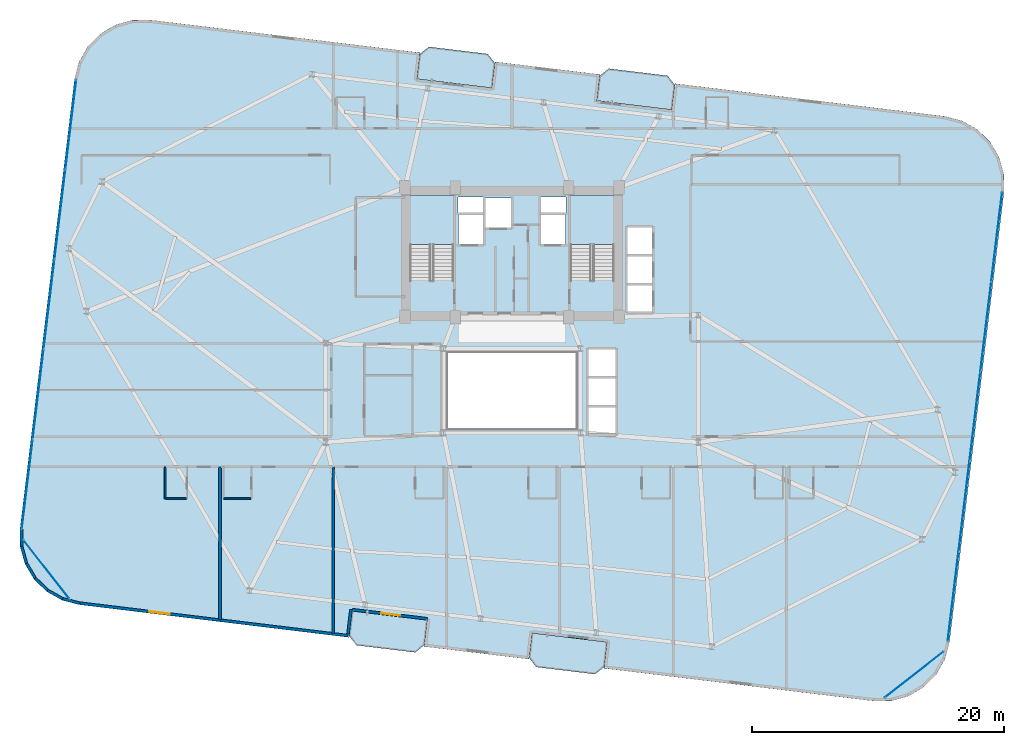
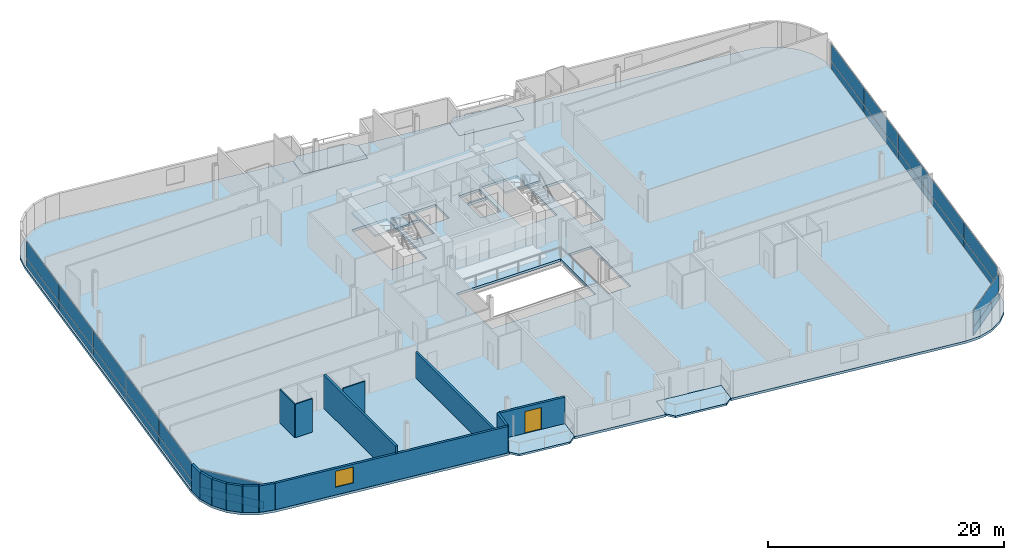
# One storey, part 19 of 26: 24 plates, 14 walls, 7 slabs, 1 door, 1 window, 2 openings, 6 elements without a shape of their own.
"""IFC4 building model written with IfcOpenShell, lengths in metres."""

from ifc_helpers import new_model, si_unit, direction, frame, frame_2d, origin, origin_2d, place, context, subcontext, project, spatial, polyline, rectangle, outline, extrude, source, transform, mapped, material, layer, layer_set, type_object, element, fill, aggregate, save


model = new_model("IFC4")

# Units and contexts
model_context = context("Model", 3, precision=1e-05, world=origin(), true_north=direction((0.0, 1.0)))
body_context = subcontext(model_context, "Body", "Model", "MODEL_VIEW")
ifc_project = project(units=[si_unit("LENGTHUNIT", "METRE"), si_unit("AREAUNIT", "SQUARE_METRE"), si_unit("VOLUMEUNIT", "CUBIC_METRE"), si_unit("PLANEANGLEUNIT", "RADIAN"), si_unit("MASSUNIT", "GRAM", prefix="KILO")], contexts=[model_context])

# Site, building, storey
site_placement = place(None, origin())
site = spatial("IfcSite", under=ifc_project, at=site_placement, CompositionType="ELEMENT")
building_placement = place(site_placement, origin())
building = spatial("IfcBuilding", under=site, at=building_placement, Name="Varnelok Gate Tower", CompositionType="ELEMENT")
storey_placement = place(building_placement, frame((0.0, 0.0, 151.300048828125)))
storey = spatial("IfcBuildingStorey", under=building, at=storey_placement, Name="L38", CompositionType="ELEMENT", Elevation=151.300048828125)

# Slabs
ifc_material_1 = material(Name="Concrete C45/55", Category="concrete")
ifc_layer_1 = layer(ifc_material_1, 0.199951171875)
ifc_layer_set_1 = layer_set([ifc_layer_1], Name="Concrete C45/55")
slab_type_1 = type_object("IfcSlabType", Name="SLB-BALC-200", PredefinedType="FLOOR", material=ifc_layer_set_1)
slab_1_placement = place(storey_placement, frame((0.0, 0.0, -0.199951171875)))
element("IfcSlab", 1, at=slab_1_placement, inside=storey, type_object=slab_type_1, Name="L38 South Hollow Balcony 1", PredefinedType="FLOOR", context=body_context, shape_type="SweptSolid", body=[
    extrude(outline(polyline([(26.27001953125, 3.39697265625), (26.837158203125, 2.67333984375), (31.5029296875, 2.107666015625), (32.2265625, 2.6748046875), (32.46728515625, 4.660400390625), (26.5107421875, 5.38232421875), (26.27001953125, 3.39697265625)])), origin(), (0.0, 0.0, 1.0), 0.199951171875),
])
slab_2_placement = place(storey_placement, frame((0.0, 0.0, -0.199951171875)))
element("IfcSlab", 2, at=slab_2_placement, inside=storey, type_object=slab_type_1, Name="L38 South Hollow Balcony 2", PredefinedType="FLOOR", context=body_context, shape_type="SweptSolid", body=[
    extrude(outline(polyline([(40.5654296875, 1.663818359375), (41.132568359375, 0.9404296875), (45.79833984375, 0.374755859375), (46.521728515625, 0.94189453125), (46.762451171875, 2.92724609375), (40.80615234375, 3.6494140625), (40.5654296875, 1.663818359375)])), origin(), (0.0, 0.0, 1.0), 0.199951171875),
])
slab_3_placement = place(storey_placement, frame((0.0, 0.0, -0.199951171875)))
element("IfcSlab", 3, at=slab_3_placement, inside=storey, type_object=slab_type_1, Name="L38 North Hollow Balcony 1", PredefinedType="FLOOR", context=body_context, shape_type="SweptSolid", body=[
    extrude(outline(polyline([(31.637451171875, 47.672607421875), (37.593994140625, 46.95068359375), (37.834716796875, 48.93603515625), (37.267578125, 49.65966796875), (32.601806640625, 50.22509765625), (31.878173828125, 49.658203125), (31.637451171875, 47.672607421875)])), origin(), (0.0, 0.0, 1.0), 0.199951171875),
])
slab_4_placement = place(storey_placement, frame((0.0, 0.0, -0.199951171875)))
element("IfcSlab", 4, at=slab_4_placement, inside=storey, type_object=slab_type_1, Name="L38 North Hollow Balcony 2", PredefinedType="FLOOR", context=body_context, shape_type="SweptSolid", body=[
    extrude(outline(polyline([(45.932861328125, 45.939697265625), (51.88916015625, 45.2177734375), (52.1298828125, 47.203125), (51.562744140625, 47.926513671875), (46.89697265625, 48.4921875), (46.173583984375, 47.92529296875), (45.932861328125, 45.939697265625)])), origin(), (0.0, 0.0, 1.0), 0.199951171875),
])

# Stair, slab
ifc_material_2 = material(Name="Concrete C50/60", Category="concrete")
stair_type = type_object("IfcStairType", Name="STR-CORE-1650", PredefinedType="HALF_TURN_STAIR", material=ifc_material_2)
stair_1_placement = place(storey_placement, origin())
stair_1 = element("IfcStair", 5, at=stair_1_placement, inside=storey, type_object=stair_type, Name="L38 Exit Stair ST-1", PredefinedType="HALF_TURN_STAIR")
ifc_layer_2 = layer(ifc_material_1, 0.199951171875)
ifc_layer_set_2 = layer_set([ifc_layer_2], Name="Concrete C45/55")
slab_type_2 = type_object("IfcSlabType", Name="SLB-LAND-200", PredefinedType="LANDING", material=ifc_layer_set_2)
slab_5_placement = place(storey_placement, frame((0.0, 0.0, 1.64990234375)))
slab_5 = element("IfcSlab", 6, at=slab_5_placement, type_object=slab_type_2, Name="ST-1 landing 1", PredefinedType="LANDING", context=body_context, shape_type="SweptSolid", body=[
    extrude(outline(polyline([(34.550048828125, 34.5), (34.550048828125, 38.449951171875), (31.10009765625, 38.449951171875), (31.10009765625, 34.5), (34.550048828125, 34.5)])), origin(), (0.0, 0.0, 1.0), 0.199951171875),
])
aggregate(stair_1, [slab_5])

stair_2_placement = place(storey_placement, origin())
stair_2 = element("IfcStair", 7, at=stair_2_placement, inside=storey, type_object=stair_type, Name="L38 Exit Stair ST-2", PredefinedType="HALF_TURN_STAIR")
slab_6_placement = place(storey_placement, frame((0.0, 0.0, 1.64990234375)))
slab_6 = element("IfcSlab", 8, at=slab_6_placement, type_object=slab_type_2, Name="ST-2 landing 1", PredefinedType="LANDING", context=body_context, shape_type="SweptSolid", body=[
    extrude(outline(polyline([(47.300048828125, 34.5), (47.300048828125, 38.449951171875), (43.85009765625, 38.449951171875), (43.85009765625, 34.5), (47.300048828125, 34.5)])), origin(), (0.0, 0.0, 1.0), 0.199951171875),
])
aggregate(stair_2, [slab_6])

# Slab
ifc_layer_3 = layer(ifc_material_2, 0.25)
ifc_layer_set_3 = layer_set([ifc_layer_3], Name="Concrete C50/60")
slab_type_3 = type_object("IfcSlabType", Name="SLB-TYP-250", PredefinedType="FLOOR", material=ifc_layer_set_3)
slab_7_placement = place(storey_placement, frame((0.0, 0.0, -0.25)))
element("IfcSlab", 9, at=slab_7_placement, inside=storey, type_object=slab_type_3, Name="L38 Structural Floor Slab", PredefinedType="FLOOR", context=body_context, shape_type="SweptSolid", body=[
    extrude(outline(polyline([(0.104248046875, 11.90771484375), (0.11865234375, 10.498046875), (0.49755859375, 9.14013671875), (1.214599609375, 7.9267578125), (2.2216796875, 6.940185546875), (3.44970703125, 6.247802734375), (4.81494140625, 5.89697265625), (16.529296875, 4.47705078125), (26.258056640625, 3.297607421875), (26.5107421875, 5.38232421875), (32.46728515625, 4.660400390625), (32.214599609375, 2.575439453125), (40.553466796875, 1.564697265625), (40.80615234375, 3.6494140625), (46.762451171875, 2.92724609375), (46.509765625, 0.842529296875), (56.238525390625, -0.3369140625), (67.952880859375, -1.7568359375), (69.3623046875, -1.742431640625), (70.72021484375, -1.363525390625), (71.933837890625, -0.646240234375), (72.92041015625, 0.360595703125), (73.612548828125, 1.588623046875), (73.96337890625, 2.9541015625), (78.2958984375, 38.6923828125), (78.281494140625, 40.101806640625), (77.902587890625, 41.459716796875), (77.185302734375, 42.67333984375), (76.17822265625, 43.659912109375), (74.9501953125, 44.35205078125), (73.5849609375, 44.702880859375), (61.87060546875, 46.123046875), (52.141845703125, 47.302490234375), (51.88916015625, 45.2177734375), (45.932861328125, 45.939697265625), (46.185546875, 48.0244140625), (37.8466796875, 49.035400390625), (37.593994140625, 46.95068359375), (31.637451171875, 47.672607421875), (31.89013671875, 49.75732421875), (22.161376953125, 50.936767578125), (10.447265625, 52.35693359375), (9.03759765625, 52.34228515625), (7.6796875, 51.963623046875), (6.46630859375, 51.246337890625), (5.479736328125, 50.2392578125), (4.787353515625, 49.01123046875), (4.4365234375, 47.64599609375), (0.104248046875, 11.90771484375)]), holes=[polyline([(34.550048828125, 31.679931640625), (34.550048828125, 38.449951171875), (31.10009765625, 38.449951171875), (31.10009765625, 31.679931640625), (34.550048828125, 31.679931640625)]), polyline([(47.300048828125, 31.679931640625), (47.300048828125, 38.449951171875), (43.85009765625, 38.449951171875), (43.85009765625, 31.679931640625), (47.300048828125, 31.679931640625)]), polyline([(34.949951171875, 34.550048828125), (36.89990234375, 34.550048828125), (36.89990234375, 36.89990234375), (34.949951171875, 36.89990234375), (34.949951171875, 34.550048828125)]), polyline([(41.5, 34.550048828125), (43.449951171875, 34.550048828125), (43.449951171875, 36.89990234375), (41.5, 36.89990234375), (41.5, 34.550048828125)]), polyline([(37.050048828125, 35.85009765625), (39.14990234375, 35.85009765625), (39.14990234375, 38.199951171875), (37.050048828125, 38.199951171875), (37.050048828125, 35.85009765625)]), polyline([(48.35009765625, 29.14990234375), (50.35009765625, 29.14990234375), (50.35009765625, 35.89990234375), (48.35009765625, 35.89990234375), (48.35009765625, 29.14990234375)]), polyline([(45.25, 19.449951171875), (47.449951171875, 19.449951171875), (47.449951171875, 26.199951171875), (45.25, 26.199951171875), (45.25, 19.449951171875)]), polyline([(34.919921875, 37.080078125), (36.89990234375, 37.080078125), (36.89990234375, 38.280029296875), (34.919921875, 38.280029296875), (34.919921875, 37.080078125)]), polyline([(41.5, 37.080078125), (43.47998046875, 37.080078125), (43.47998046875, 38.280029296875), (41.5, 38.280029296875), (41.5, 37.080078125)]), polyline([(34.10009765625, 19.89990234375), (44.300048828125, 19.89990234375), (44.300048828125, 25.89990234375), (34.10009765625, 25.89990234375), (34.10009765625, 19.89990234375)])]), origin(), (0.0, 0.0, 1.0), 0.25),
])

# Curtain wall, plate
ifc_material_3 = material(Name="Anodized Aluminum Alloy 6063-T6", Category="aluminium")
ifc_layer_4 = layer(ifc_material_3, 0.179931640625)
ifc_layer_set_4 = layer_set([ifc_layer_4], Name="Anodized Aluminum Alloy 6063-T6")
curtain_wall_type_1 = type_object("IfcCurtainWallType", Name="CW5-WINDCORNER-GLAZ", PredefinedType="USERDEFINED", material=ifc_layer_set_4)
curtain_wall_1_placement = place(storey_placement, origin())
curtain_wall_1 = element("IfcCurtainWall", 10, at=curtain_wall_1_placement, inside=storey, type_object=curtain_wall_type_1, Name="L38 Wind-Shaped Corner Curtain Wall SW", ObjectType="STRUCTURAL GLAZING", PredefinedType="USERDEFINED")
ifc_material_4 = material(Name="Low-E Laminated Double Glazing IGU", Category="glass")
ifc_layer_5 = layer(ifc_material_4, 0.0419921875)
ifc_layer_set_5 = layer_set([ifc_layer_5], Name="Low-E Laminated Double Glazing IGU")
plate_type_1 = type_object("IfcPlateType", Name="CW-PNL-SPN42", PredefinedType="CURTAIN_PANEL", material=ifc_layer_set_5)
shared_shape_1 = source(origin(), body_context, "Body", "SweptSolid", [
    extrude(rectangle(XDim=5.8662109375, YDim=0.0419921875, at=origin_2d()), origin(), (0.0, 0.0, 1.0), 0.802490234375),
])
plate_1_placement = place(storey_placement, frame((2.20361328125, 8.70166015625, 0.06494140625), z_axis=(0.0, 0.0, 1.0), x_axis=(0.616882780063, -0.787055039792, 0.0)))
plate_1 = element("IfcPlate", 11, at=plate_1_placement, type_object=plate_type_1, Name="CW5 panel 1.1", PredefinedType="CURTAIN_PANEL", context=body_context, shape_type="MappedRepresentation", body=[
    mapped(shared_shape_1, transform((0.0, 0.0, 0.0), scale=1.0)),
])

curtain_wall_2_placement = place(storey_placement, origin())
curtain_wall_2 = element("IfcCurtainWall", 12, at=curtain_wall_2_placement, inside=storey, type_object=curtain_wall_type_1, Name="L38 Wind-Shaped Corner Curtain Wall SE", ObjectType="STRUCTURAL GLAZING", PredefinedType="USERDEFINED")
plate_2_placement = place(storey_placement, frame((71.15869140625, 0.342529296875, 0.06494140625), z_axis=(0.0, 0.0, 1.0), x_axis=(0.787069482921, 0.616864352232, 0.0)))
plate_2 = element("IfcPlate", 13, at=plate_2_placement, type_object=plate_type_1, Name="CW5 panel 1.1", PredefinedType="CURTAIN_PANEL", context=body_context, shape_type="MappedRepresentation", body=[
    mapped(shared_shape_1, transform((0.0, 0.0, 0.0), scale=1.0)),
])

# Plate
shared_shape_2 = source(origin(), body_context, "Body", "SweptSolid", [
    extrude(rectangle(XDim=5.8662109375, YDim=0.0419921875, at=origin_2d()), origin(), (0.0, 0.0, 1.0), 1.732421875),
])
plate_3_placement = place(storey_placement, frame((2.20361328125, 8.70166015625, 0.932373046875), z_axis=(0.0, 0.0, 1.0), x_axis=(0.616882780063, -0.787055039792, 0.0)))
plate_3 = element("IfcPlate", 14, at=plate_3_placement, type_object=plate_type_1, Name="CW5 panel 1.2", PredefinedType="CURTAIN_PANEL", context=body_context, shape_type="MappedRepresentation", body=[
    mapped(shared_shape_2, transform((0.0, 0.0, 0.0), scale=1.0)),
])

aggregate(curtain_wall_1, [plate_1, plate_3])

plate_4_placement = place(storey_placement, frame((71.15869140625, 0.342529296875, 0.932373046875), z_axis=(0.0, 0.0, 1.0), x_axis=(0.787069482921, 0.616864352232, 0.0)))
plate_4 = element("IfcPlate", 15, at=plate_4_placement, type_object=plate_type_1, Name="CW5 panel 1.2", PredefinedType="CURTAIN_PANEL", context=body_context, shape_type="MappedRepresentation", body=[
    mapped(shared_shape_2, transform((0.0, 0.0, 0.0), scale=1.0)),
])

aggregate(curtain_wall_2, [plate_2, plate_4])

# Curtain wall, plates
ifc_layer_6 = layer(ifc_material_3, 0.179931640625)
ifc_layer_set_6 = layer_set([ifc_layer_6], Name="Anodized Aluminum Alloy 6063-T6")
curtain_wall_type_2 = type_object("IfcCurtainWallType", Name="CW3-HOTEL-VISION", PredefinedType="USERDEFINED", material=ifc_layer_set_6)
curtain_wall_3_placement = place(storey_placement, origin())
curtain_wall_3 = element("IfcCurtainWall", 16, at=curtain_wall_3_placement, inside=storey, type_object=curtain_wall_type_2, Name="L38 West End Vision Curtain Wall", ObjectType="UNITISED CURTAIN WALL", PredefinedType="USERDEFINED")
ifc_layer_7 = layer(ifc_material_4, 0.031982421875)
ifc_layer_set_7 = layer_set([ifc_layer_7], Name="Low-E Laminated Double Glazing IGU")
plate_type_2 = type_object("IfcPlateType", Name="CW-PNL-IGU32", PredefinedType="CURTAIN_PANEL", material=ifc_layer_set_7)
shared_shape_3 = source(origin(), body_context, "Body", "SweptSolid", [
    extrude(rectangle(XDim=7.1025390625, YDim=0.031982421875, at=origin_2d()), origin(), (0.0, 0.0, 1.0), 0.802490234375),
])
plate_5_placement = place(storey_placement, frame((0.67822265625, 15.480712890625, 0.06494140625), z_axis=(0.0, 0.0, 1.0), x_axis=(0.120347046212, 0.99273188146, 0.0)))
plate_5 = element("IfcPlate", 17, at=plate_5_placement, type_object=plate_type_2, Name="CW3 panel 1.1", PredefinedType="CURTAIN_PANEL", context=body_context, shape_type="MappedRepresentation", body=[
    mapped(shared_shape_3, transform((0.0, 0.0, 0.0), scale=1.0)),
])
plate_6_placement = place(storey_placement, frame((4.140380859375, 44.039306640625, 0.06494140625), z_axis=(0.0, 0.0, 1.0), x_axis=(0.120347046212, 0.99273188146, 0.0)))
plate_6 = element("IfcPlate", 18, at=plate_6_placement, type_object=plate_type_2, Name="CW3 panel 5.1", PredefinedType="CURTAIN_PANEL", context=body_context, shape_type="MappedRepresentation", body=[
    mapped(shared_shape_3, transform((0.0, 0.0, 0.0), scale=1.0)),
])

curtain_wall_4_placement = place(storey_placement, origin())
curtain_wall_4 = element("IfcCurtainWall", 19, at=curtain_wall_4_placement, inside=storey, type_object=curtain_wall_type_2, Name="L38 East End Vision Curtain Wall", ObjectType="UNITISED CURTAIN WALL", PredefinedType="USERDEFINED")
plate_7_placement = place(storey_placement, frame((77.7216796875, 35.119140625, 0.06494140625), z_axis=(0.0, 0.0, 1.0), x_axis=(-0.120347046212, -0.99273188146, 0.0)))
plate_7 = element("IfcPlate", 20, at=plate_7_placement, type_object=plate_type_2, Name="CW3 panel 1.1", PredefinedType="CURTAIN_PANEL", context=body_context, shape_type="MappedRepresentation", body=[
    mapped(shared_shape_3, transform((0.0, 0.0, 0.0), scale=1.0)),
])
plate_8_placement = place(storey_placement, frame((74.259521484375, 6.560791015625, 0.06494140625), z_axis=(0.0, 0.0, 1.0), x_axis=(-0.120347046212, -0.99273188146, 0.0)))
plate_8 = element("IfcPlate", 21, at=plate_8_placement, type_object=plate_type_2, Name="CW3 panel 5.1", PredefinedType="CURTAIN_PANEL", context=body_context, shape_type="MappedRepresentation", body=[
    mapped(shared_shape_3, transform((0.0, 0.0, 0.0), scale=1.0)),
])

# Plate
shared_shape_4 = source(origin(), body_context, "Body", "SweptSolid", [
    extrude(rectangle(XDim=7.1025390625, YDim=0.031982421875, at=origin_2d()), origin(), (0.0, 0.0, 1.0), 1.732421875),
])
plate_9_placement = place(storey_placement, frame((0.67822265625, 15.480712890625, 0.932373046875), z_axis=(0.0, 0.0, 1.0), x_axis=(0.120347046212, 0.99273188146, 0.0)))
plate_9 = element("IfcPlate", 22, at=plate_9_placement, type_object=plate_type_2, Name="CW3 panel 1.2", PredefinedType="CURTAIN_PANEL", context=body_context, shape_type="MappedRepresentation", body=[
    mapped(shared_shape_4, transform((0.0, 0.0, 0.0), scale=1.0)),
])

plate_10_placement = place(storey_placement, frame((4.140380859375, 44.039306640625, 0.932373046875), z_axis=(0.0, 0.0, 1.0), x_axis=(0.120347046212, 0.99273188146, 0.0)))
plate_10 = element("IfcPlate", 23, at=plate_10_placement, type_object=plate_type_2, Name="CW3 panel 5.2", PredefinedType="CURTAIN_PANEL", context=body_context, shape_type="MappedRepresentation", body=[
    mapped(shared_shape_4, transform((0.0, 0.0, 0.0), scale=1.0)),
])

plate_11_placement = place(storey_placement, frame((77.7216796875, 35.119140625, 0.932373046875), z_axis=(0.0, 0.0, 1.0), x_axis=(-0.120347046212, -0.99273188146, 0.0)))
plate_11 = element("IfcPlate", 24, at=plate_11_placement, type_object=plate_type_2, Name="CW3 panel 1.2", PredefinedType="CURTAIN_PANEL", context=body_context, shape_type="MappedRepresentation", body=[
    mapped(shared_shape_4, transform((0.0, 0.0, 0.0), scale=1.0)),
])

plate_12_placement = place(storey_placement, frame((74.259521484375, 6.560791015625, 0.932373046875), z_axis=(0.0, 0.0, 1.0), x_axis=(-0.120347046212, -0.99273188146, 0.0)))
plate_12 = element("IfcPlate", 25, at=plate_12_placement, type_object=plate_type_2, Name="CW3 panel 5.2", PredefinedType="CURTAIN_PANEL", context=body_context, shape_type="MappedRepresentation", body=[
    mapped(shared_shape_4, transform((0.0, 0.0, 0.0), scale=1.0)),
])

shared_shape_5 = source(origin(), body_context, "Body", "SweptSolid", [
    extrude(rectangle(XDim=7.135009765625, YDim=0.031982421875, at=origin_2d()), origin(), (0.0, 0.0, 1.0), 0.802490234375),
])
plate_13_placement = place(storey_placement, frame((1.54296875, 22.6123046875, 0.06494140625), z_axis=(0.0, 0.0, 1.0), x_axis=(0.120347046212, 0.99273188146, 0.0)))
plate_13 = element("IfcPlate", 26, at=plate_13_placement, type_object=plate_type_2, Name="CW3 panel 2.1", PredefinedType="CURTAIN_PANEL", context=body_context, shape_type="MappedRepresentation", body=[
    mapped(shared_shape_5, transform((0.0, 0.0, 0.0), scale=1.0)),
])

plate_14_placement = place(storey_placement, frame((2.409423828125, 29.760009765625, 0.06494140625), z_axis=(0.0, 0.0, 1.0), x_axis=(0.120347046212, 0.99273188146, 0.0)))
plate_14 = element("IfcPlate", 27, at=plate_14_placement, type_object=plate_type_2, Name="CW3 panel 3.1", PredefinedType="CURTAIN_PANEL", context=body_context, shape_type="MappedRepresentation", body=[
    mapped(shared_shape_5, transform((0.0, 0.0, 0.0), scale=1.0)),
])

plate_15_placement = place(storey_placement, frame((3.27587890625, 36.90771484375, 0.06494140625), z_axis=(0.0, 0.0, 1.0), x_axis=(0.120347046212, 0.99273188146, 0.0)))
plate_15 = element("IfcPlate", 28, at=plate_15_placement, type_object=plate_type_2, Name="CW3 panel 4.1", PredefinedType="CURTAIN_PANEL", context=body_context, shape_type="MappedRepresentation", body=[
    mapped(shared_shape_5, transform((0.0, 0.0, 0.0), scale=1.0)),
])

plate_16_placement = place(storey_placement, frame((76.857177734375, 27.98779296875, 0.06494140625), z_axis=(0.0, 0.0, 1.0), x_axis=(-0.120347046212, -0.99273188146, 0.0)))
plate_16 = element("IfcPlate", 29, at=plate_16_placement, type_object=plate_type_2, Name="CW3 panel 2.1", PredefinedType="CURTAIN_PANEL", context=body_context, shape_type="MappedRepresentation", body=[
    mapped(shared_shape_5, transform((0.0, 0.0, 0.0), scale=1.0)),
])

plate_17_placement = place(storey_placement, frame((75.99072265625, 20.840087890625, 0.06494140625), z_axis=(0.0, 0.0, 1.0), x_axis=(-0.120347046212, -0.99273188146, 0.0)))
plate_17 = element("IfcPlate", 30, at=plate_17_placement, type_object=plate_type_2, Name="CW3 panel 3.1", PredefinedType="CURTAIN_PANEL", context=body_context, shape_type="MappedRepresentation", body=[
    mapped(shared_shape_5, transform((0.0, 0.0, 0.0), scale=1.0)),
])

plate_18_placement = place(storey_placement, frame((75.124267578125, 13.6923828125, 0.06494140625), z_axis=(0.0, 0.0, 1.0), x_axis=(-0.120347046212, -0.99273188146, 0.0)))
plate_18 = element("IfcPlate", 31, at=plate_18_placement, type_object=plate_type_2, Name="CW3 panel 4.1", PredefinedType="CURTAIN_PANEL", context=body_context, shape_type="MappedRepresentation", body=[
    mapped(shared_shape_5, transform((0.0, 0.0, 0.0), scale=1.0)),
])

shared_shape_6 = source(origin(), body_context, "Body", "SweptSolid", [
    extrude(rectangle(XDim=7.135009765625, YDim=0.031982421875, at=origin_2d()), origin(), (0.0, 0.0, 1.0), 1.732421875),
])
plate_19_placement = place(storey_placement, frame((1.54296875, 22.6123046875, 0.932373046875), z_axis=(0.0, 0.0, 1.0), x_axis=(0.120347046212, 0.99273188146, 0.0)))
plate_19 = element("IfcPlate", 32, at=plate_19_placement, type_object=plate_type_2, Name="CW3 panel 2.2", PredefinedType="CURTAIN_PANEL", context=body_context, shape_type="MappedRepresentation", body=[
    mapped(shared_shape_6, transform((0.0, 0.0, 0.0), scale=1.0)),
])

plate_20_placement = place(storey_placement, frame((2.409423828125, 29.760009765625, 0.932373046875), z_axis=(0.0, 0.0, 1.0), x_axis=(0.120347046212, 0.99273188146, 0.0)))
plate_20 = element("IfcPlate", 33, at=plate_20_placement, type_object=plate_type_2, Name="CW3 panel 3.2", PredefinedType="CURTAIN_PANEL", context=body_context, shape_type="MappedRepresentation", body=[
    mapped(shared_shape_6, transform((0.0, 0.0, 0.0), scale=1.0)),
])

plate_21_placement = place(storey_placement, frame((3.27587890625, 36.90771484375, 0.932373046875), z_axis=(0.0, 0.0, 1.0), x_axis=(0.120347046212, 0.99273188146, 0.0)))
plate_21 = element("IfcPlate", 34, at=plate_21_placement, type_object=plate_type_2, Name="CW3 panel 4.2", PredefinedType="CURTAIN_PANEL", context=body_context, shape_type="MappedRepresentation", body=[
    mapped(shared_shape_6, transform((0.0, 0.0, 0.0), scale=1.0)),
])

aggregate(curtain_wall_3, [plate_5, plate_9, plate_13, plate_19, plate_14, plate_20, plate_15, plate_21, plate_6, plate_10])

plate_22_placement = place(storey_placement, frame((76.857177734375, 27.98779296875, 0.932373046875), z_axis=(0.0, 0.0, 1.0), x_axis=(-0.120347046212, -0.99273188146, 0.0)))
plate_22 = element("IfcPlate", 35, at=plate_22_placement, type_object=plate_type_2, Name="CW3 panel 2.2", PredefinedType="CURTAIN_PANEL", context=body_context, shape_type="MappedRepresentation", body=[
    mapped(shared_shape_6, transform((0.0, 0.0, 0.0), scale=1.0)),
])

plate_23_placement = place(storey_placement, frame((75.99072265625, 20.840087890625, 0.932373046875), z_axis=(0.0, 0.0, 1.0), x_axis=(-0.120347046212, -0.99273188146, 0.0)))
plate_23 = element("IfcPlate", 36, at=plate_23_placement, type_object=plate_type_2, Name="CW3 panel 3.2", PredefinedType="CURTAIN_PANEL", context=body_context, shape_type="MappedRepresentation", body=[
    mapped(shared_shape_6, transform((0.0, 0.0, 0.0), scale=1.0)),
])

plate_24_placement = place(storey_placement, frame((75.124267578125, 13.6923828125, 0.932373046875), z_axis=(0.0, 0.0, 1.0), x_axis=(-0.120347046212, -0.99273188146, 0.0)))
plate_24 = element("IfcPlate", 37, at=plate_24_placement, type_object=plate_type_2, Name="CW3 panel 4.2", PredefinedType="CURTAIN_PANEL", context=body_context, shape_type="MappedRepresentation", body=[
    mapped(shared_shape_6, transform((0.0, 0.0, 0.0), scale=1.0)),
])

aggregate(curtain_wall_4, [plate_7, plate_11, plate_16, plate_22, plate_17, plate_23, plate_18, plate_24, plate_8, plate_12])

# Wall, opening, door
ifc_layer_8 = layer(ifc_material_1, 0.219970703125)
ifc_layer_set_8 = layer_set([ifc_layer_8], Name="Concrete C45/55")
wall_type_1 = type_object("IfcWallType", Name="EW-BALC-220", PredefinedType="SOLIDWALL", material=ifc_layer_set_8)
wall_1_placement = place(storey_placement, frame((32.48046875, 4.76953125, 0.0), z_axis=(0.0, 0.0, 1.0), x_axis=(-0.992735402148, 0.120318000826, 0.0)))
wall_1 = element("IfcWall", 38, at=wall_1_placement, inside=storey, type_object=wall_type_1, Name="L38 South Terrace Envelope Wall 1", PredefinedType="SOLIDWALL", context=body_context, shape_type="SweptSolid", body=[
    extrude(rectangle(XDim=6.000244140625, YDim=0.219970703125, at=frame_2d((3.0, 0.0))), origin(), (0.0, 0.0, 1.0), 2.72998046875),
])
opening_1_placement = place(wall_1_placement, frame((2.176025390625, 0.0, 0.0)))
opening_1 = element("IfcOpeningElement", 39, at=opening_1_placement, cuts=wall_1, Name="Opening BD-1", PredefinedType="OPENING", context=body_context, shape_type="SweptSolid", body=[
    extrude(rectangle(XDim=1.5, YDim=2.25, at=frame_2d((0.75, 1.125))), frame((0.0, 0.119873046875, 0.0), z_axis=(0.0, -1.0, 0.0), x_axis=(1.0, 0.0, 0.0)), (0.0, 0.0, 1.0), 0.239990234375),
])
door_type = type_object("IfcDoorType", Name="DR-EXT-BALC1500", OperationType="NOTDEFINED", PredefinedType="DOOR", material=ifc_material_3)
door_placement = place(opening_1_placement, origin())
door = element("IfcDoor", 40, at=door_placement, inside=storey, type_object=door_type, Name="L38 South Balcony Glazed Door 1", OperationType="SINGLE_SWING_RIGHT", OverallHeight=2.25, OverallWidth=1.5, PredefinedType="DOOR", context=body_context, shape_type="SweptSolid", body=[
    extrude(rectangle(XDim=1.5, YDim=2.25, at=frame_2d((0.75, 1.125))), frame((0.0, 0.02490234375, 0.0), z_axis=(0.0, -1.0, 0.0), x_axis=(1.0, 0.0, 0.0)), (0.0, 0.0, 1.0), 0.050048828125),
])
fill(opening_1, door)

# Walls
wall_2_placement = place(storey_placement, frame((0.224365234375, 11.89306640625, 0.0), z_axis=(0.0, 0.0, 1.0), x_axis=(0.010098705419, -0.999949006774, 0.0)))
element("IfcWall", 41, at=wall_2_placement, inside=storey, type_object=wall_type_1, Name="L38 Perimeter Facade Closure Wall 1", PredefinedType="SOLIDWALL", context=body_context, shape_type="SweptSolid", body=[
    extrude(rectangle(XDim=1.3779296875, YDim=0.219970703125, at=frame_2d((0.68896484375, 0.0))), origin(), (0.0, 0.0, 1.0), 2.72998046875),
])
wall_3_placement = place(storey_placement, frame((0.2451171875, 10.490966796875, 0.0), z_axis=(0.0, 0.0, 1.0), x_axis=(0.268853470153, -0.963181089716, 0.0)))
element("IfcWall", 42, at=wall_3_placement, inside=storey, type_object=wall_type_1, Name="L38 Perimeter Facade Closure Wall 2", PredefinedType="SOLIDWALL", context=body_context, shape_type="SweptSolid", body=[
    extrude(rectangle(XDim=1.35302734375, YDim=0.219970703125, at=frame_2d((0.676513671875, 0.0))), origin(), (0.0, 0.0, 1.0), 2.72998046875),
])
wall_4_placement = place(storey_placement, frame((0.62158203125, 9.166015625, 0.0), z_axis=(0.0, 0.0, 1.0), x_axis=(0.508911700393, -0.860818727261, 0.0)))
element("IfcWall", 43, at=wall_4_placement, inside=storey, type_object=wall_type_1, Name="L38 Perimeter Facade Closure Wall 3", PredefinedType="SOLIDWALL", context=body_context, shape_type="SweptSolid", body=[
    extrude(rectangle(XDim=1.352783203125, YDim=0.219970703125, at=frame_2d((0.67626953125, 0.0))), origin(), (0.0, 0.0, 1.0), 2.72998046875),
])
wall_5_placement = place(storey_placement, frame((1.327880859375, 7.98388671875, 0.0), z_axis=(0.0, 0.0, 1.0), x_axis=(0.714376989847, -0.69976104234, 0.0)))
element("IfcWall", 44, at=wall_5_placement, inside=storey, type_object=wall_type_1, Name="L38 Perimeter Facade Closure Wall 4", PredefinedType="SOLIDWALL", context=body_context, shape_type="SweptSolid", body=[
    extrude(rectangle(XDim=1.35302734375, YDim=0.219970703125, at=frame_2d((0.676513671875, 0.0))), origin(), (0.0, 0.0, 1.0), 2.72998046875),
])
wall_6_placement = place(storey_placement, frame((2.316162109375, 7.024658203125, 0.0), z_axis=(0.0, 0.0, 1.0), x_axis=(0.87113677592, -0.491040443996, 0.0)))
element("IfcWall", 45, at=wall_6_placement, inside=storey, type_object=wall_type_1, Name="L38 Perimeter Facade Closure Wall 5", PredefinedType="SOLIDWALL", context=body_context, shape_type="SweptSolid", body=[
    extrude(rectangle(XDim=1.353271484375, YDim=0.219970703125, at=frame_2d((0.6767578125, 0.0))), origin(), (0.0, 0.0, 1.0), 2.72998046875),
])
wall_7_placement = place(storey_placement, frame((3.519287109375, 6.35400390625, 0.0), z_axis=(0.0, 0.0, 1.0), x_axis=(0.968506529347, -0.248988157573, 0.0)))
element("IfcWall", 46, at=wall_7_placement, inside=storey, type_object=wall_type_1, Name="L38 Perimeter Facade Closure Wall 6", PredefinedType="SOLIDWALL", context=body_context, shape_type="SweptSolid", body=[
    extrude(rectangle(XDim=1.361083984375, YDim=0.219970703125, at=frame_2d((0.6806640625, 0.0))), origin(), (0.0, 0.0, 1.0), 2.72998046875),
])

# Wall, opening, window
wall_8_placement = place(storey_placement, frame((4.862060546875, 6.01220703125, 0.0), z_axis=(0.0, 0.0, 1.0), x_axis=(0.99273213367, -0.120344965739, 0.0)))
wall_8 = element("IfcWall", 47, at=wall_8_placement, inside=storey, type_object=wall_type_1, Name="L38 Perimeter Facade Closure Wall 7", PredefinedType="SOLIDWALL", context=body_context, shape_type="SweptSolid", body=[
    extrude(rectangle(XDim=21.447021484375, YDim=0.219970703125, at=frame_2d((10.7236328125, 0.0))), origin(), (0.0, 0.0, 1.0), 2.72998046875),
])
opening_2_placement = place(wall_8_placement, frame((5.543212890625, 0.0, 0.800048828125)))
opening_2 = element("IfcOpeningElement", 48, at=opening_2_placement, cuts=wall_8, Name="Opening WN3", PredefinedType="OPENING", context=body_context, shape_type="SweptSolid", body=[
    extrude(rectangle(XDim=1.64990234375, YDim=1.64990234375, at=frame_2d((0.824951171875, 0.824951171875))), frame((0.0, 0.119873046875, 0.0), z_axis=(0.0, -1.0, 0.0), x_axis=(1.0, 0.0, 0.0)), (0.0, 0.0, 1.0), 0.239990234375),
])
window_type = type_object("IfcWindowType", Name="WN-HTL-1650", PartitioningType="SINGLE_PANEL", PredefinedType="WINDOW", material=ifc_material_4)
window_placement = place(opening_2_placement, origin())
window = element("IfcWindow", 49, at=window_placement, inside=storey, type_object=window_type, Name="L38 Perimeter Vision Window 7", OverallHeight=1.64990234375, OverallWidth=1.64990234375, PartitioningType="SINGLE_PANEL", PredefinedType="WINDOW", context=body_context, shape_type="SweptSolid", body=[
    extrude(rectangle(XDim=1.64990234375, YDim=1.64990234375, at=frame_2d((0.824951171875, 0.824951171875))), frame((0.0, 0.030029296875, 0.0), z_axis=(0.0, -1.0, 0.0), x_axis=(1.0, 0.0, 0.0)), (0.0, 0.0, 1.0), 0.06005859375),
])
fill(opening_2, window)

# Walls
wall_9_placement = place(storey_placement, frame((26.16845703125, 3.555419921875, 0.0), z_axis=(0.0, 0.0, 1.0), x_axis=(0.120290754542, 0.992738703976, 0.0)))
element("IfcWall", 50, at=wall_9_placement, inside=storey, type_object=wall_type_1, Name="L38 Perimeter Facade Closure Wall 8", PredefinedType="SOLIDWALL", context=body_context, shape_type="SweptSolid", body=[
    extrude(rectangle(XDim=1.974853515625, YDim=0.219970703125, at=frame_2d((0.9873046875, 0.0))), origin(), (0.0, 0.0, 1.0), 2.72998046875),
])
ifc_material_5 = material(Name="Gypsum Plasterboard Acoustic Partition", Category="gypsum")
ifc_layer_9 = layer(ifc_material_5, 0.114990234375)
ifc_layer_set_9 = layer_set([ifc_layer_9], Name="Gypsum Plasterboard Acoustic Partition")
wall_type_2 = type_object("IfcWallType", Name="PW-ENS-125", PredefinedType="PARTITIONING", material=ifc_layer_set_9)
wall_10_placement = place(storey_placement, frame((11.679931640625, 14.330078125, 0.0), z_axis=(0.0, 0.0, 1.0), x_axis=(1.0, 0.0, 0.0)))
element("IfcWall", 51, at=wall_10_placement, inside=storey, type_object=wall_type_2, Name="Interior Partition", PredefinedType="PARTITIONING", context=body_context, shape_type="SweptSolid", body=[
    extrude(rectangle(XDim=1.650146484375, YDim=0.114990234375, at=frame_2d((0.8251953125, 0.0))), origin(), (0.0, 0.0, 1.0), 3.449951171875),
])
wall_11_placement = place(storey_placement, frame((11.639892578125, 14.330078125, 0.0), z_axis=(0.0, 0.0, 1.0), x_axis=(0.0, 1.0, 0.0)))
element("IfcWall", 52, at=wall_11_placement, inside=storey, type_object=wall_type_2, Name="Interior Partition", PredefinedType="PARTITIONING", context=body_context, shape_type="SweptSolid", body=[
    extrude(rectangle(XDim=2.52001953125, YDim=0.114990234375, at=frame_2d((1.260009765625, 0.0))), origin(), (0.0, 0.0, 1.0), 3.449951171875),
])
wall_12_placement = place(storey_placement, frame((16.300048828125, 14.330078125, 0.0), z_axis=(0.0, 0.0, 1.0), x_axis=(1.0, 0.0, 0.0)))
element("IfcWall", 53, at=wall_12_placement, inside=storey, type_object=wall_type_2, Name="Interior Partition", PredefinedType="PARTITIONING", context=body_context, shape_type="SweptSolid", body=[
    extrude(rectangle(XDim=2.14990234375, YDim=0.114990234375, at=frame_2d((1.074951171875, 0.0))), origin(), (0.0, 0.0, 1.0), 3.449951171875),
])
ifc_layer_10 = layer(ifc_material_5, 0.205078125)
ifc_layer_set_10 = layer_set([ifc_layer_10], Name="Gypsum Plasterboard Acoustic Partition")
wall_type_3 = type_object("IfcWallType", Name="PW-PARTY-200", PredefinedType="PARTITIONING", material=ifc_layer_set_10)
wall_13_placement = place(storey_placement, frame((16.0, 4.68212890625, 0.0), z_axis=(0.0, 0.0, 1.0), x_axis=(0.0, 1.0, 0.0)))
element("IfcWall", 54, at=wall_13_placement, inside=storey, type_object=wall_type_3, Name="L38 South Party Wall 1", PredefinedType="PARTITIONING", context=body_context, shape_type="SweptSolid", body=[
    extrude(rectangle(XDim=12.16796875, YDim=0.205078125, at=frame_2d((6.083984375, 0.0))), origin(), (0.0, 0.0, 1.0), 3.449951171875),
])
wall_14_placement = place(storey_placement, frame((25.0, 3.591064453125, 0.0), z_axis=(0.0, 0.0, 1.0), x_axis=(0.0, 1.0, 0.0)))
element("IfcWall", 55, at=wall_14_placement, inside=storey, type_object=wall_type_3, Name="L38 South Party Wall 2", PredefinedType="PARTITIONING", context=body_context, shape_type="SweptSolid", body=[
    extrude(rectangle(XDim=13.259033203125, YDim=0.205078125, at=frame_2d((6.62939453125, 0.0))), origin(), (0.0, 0.0, 1.0), 2.661865234375),
])

save(model, "model.ifc")
